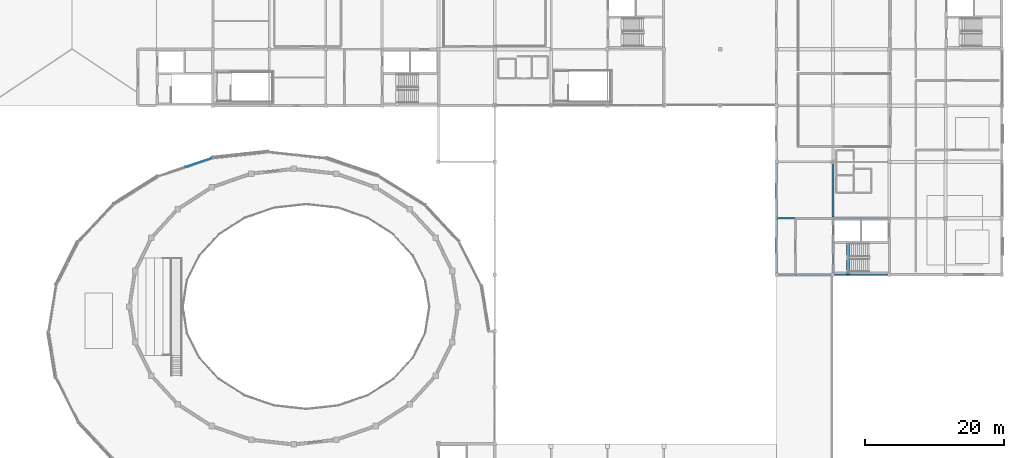
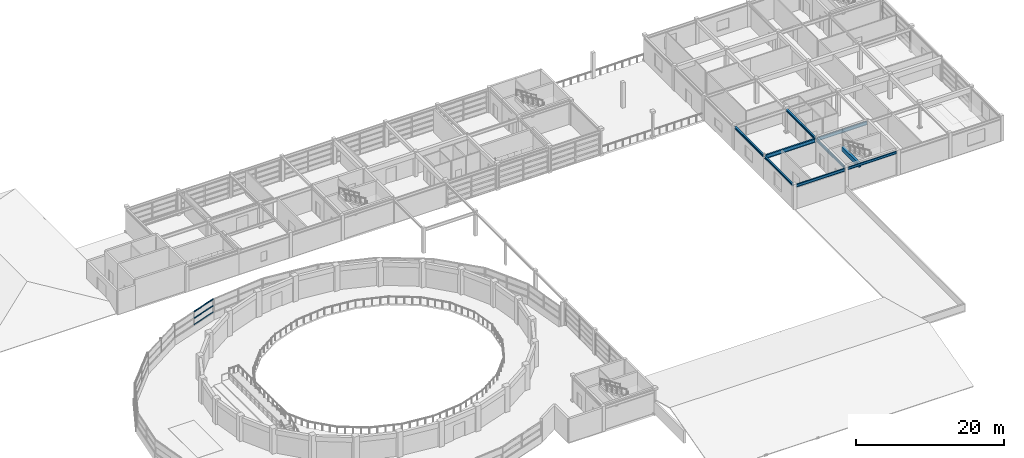
# One storey, part 22 of 54: 9 beams, 3 members, 1 element without a shape of its own.
"""IFC4 building model written with IfcOpenShell, lengths in metres."""

from ifc_helpers import new_model, si_unit, direction, frame, origin, origin_2d, place, context, subcontext, project, spatial, rectangle, i_section, extrude, material, material_profile, profile_set, type_object, element, aggregate, save


model = new_model("IFC4")

# Units and contexts
model_context = context("Model", 3, precision=1e-05, world=origin(), true_north=direction((0.0, 1.0)))
body_context = subcontext(model_context, "Body", "Model", "MODEL_VIEW")
ifc_project = project(units=[si_unit("LENGTHUNIT", "METRE"), si_unit("AREAUNIT", "SQUARE_METRE"), si_unit("VOLUMEUNIT", "CUBIC_METRE"), si_unit("PLANEANGLEUNIT", "RADIAN"), si_unit("MASSUNIT", "GRAM", prefix="KILO")], contexts=[model_context])

# Site, building, storey
site_placement = place(None, origin())
site = spatial("IfcSite", under=ifc_project, at=site_placement, CompositionType="ELEMENT")
building_placement = place(site_placement, origin())
building = spatial("IfcBuilding", under=site, at=building_placement, Name="Parian Resonance Hall", CompositionType="ELEMENT")
storey_placement = place(building_placement, frame((0.0, 0.0, 15.0)))
storey = spatial("IfcBuildingStorey", under=building, at=storey_placement, Name="L03", CompositionType="ELEMENT", Elevation=15.0)

# Beams
ifc_material_1 = material(Name="Concrete C40/50", Category="concrete")
ifc_material_profile_1 = material_profile(ifc_material_1, rectangle(XDim=0.39990234375, YDim=0.699951171875, at=origin_2d()), Name="RC-BM-400x700")
ifc_profile_set_1 = profile_set([ifc_material_profile_1], Name="Concrete C40/50")
beam_type_1 = type_object("IfcBeamType", Name="BM-RC400x700", PredefinedType="BEAM", material=ifc_profile_set_1)
beam_1_placement = place(storey_placement, frame((123.659912109375, 48.60009765625, 3.60009765625), z_axis=(0.0, 1.0, 0.0), x_axis=(-1.0, 0.0, 0.0)))
element("IfcBeam", 1, at=beam_1_placement, inside=storey, type_object=beam_type_1, Name="Core K2 stair arrival trimmer beam L03", PredefinedType="BEAM", context=body_context, shape_type="SweptSolid", body=[
    extrude(rectangle(XDim=0.39990234375, YDim=0.699951171875, at=origin_2d()), origin(), (0.0, 0.0, 1.0), 4.64990234375),
])
ifc_material_2 = material(Name="Steel S355", Category="steel")
ifc_material_profile_2 = material_profile(ifc_material_2, i_section(OverallWidth=0.2548828125, OverallDepth=0.35693359375, WebThickness=0.010498046875, FlangeThickness=0.018310546875, FilletRadius=0.01513671875, at=origin_2d()), Name="W360x101")
ifc_profile_set_2 = profile_set([ifc_material_profile_2], Name="Steel S355")
beam_type_2 = type_object("IfcBeamType", Name="BM-W360x101", PredefinedType="SPANDREL", material=ifc_profile_set_2)
beam_2_placement = place(storey_placement, frame((113.39990234375, 48.85009765625, 3.771484375), z_axis=(0.0, 1.0, 0.0), x_axis=(-1.0, 0.0, 0.0)))
element("IfcBeam", 2, at=beam_2_placement, inside=storey, type_object=beam_type_2, Name="GY-L03-0891", PredefinedType="SPANDREL", context=body_context, shape_type="SweptSolid", body=[
    extrude(i_section(OverallWidth=0.2548828125, OverallDepth=0.35693359375, WebThickness=0.010498046875, FlangeThickness=0.018310546875, FilletRadius=0.01513671875, at=origin_2d()), origin(), (0.0, 0.0, 1.0), 7.69580078125),
])
beam_3_placement = place(storey_placement, frame((113.39990234375, 56.85400390625, 3.771484375), z_axis=(0.0, 1.0, 0.0), x_axis=(-1.0, 0.0, 0.0)))
element("IfcBeam", 3, at=beam_3_placement, inside=storey, type_object=beam_type_2, Name="GY-L03-0892", PredefinedType="SPANDREL", context=body_context, shape_type="SweptSolid", body=[
    extrude(i_section(OverallWidth=0.2548828125, OverallDepth=0.35693359375, WebThickness=0.010498046875, FlangeThickness=0.018310546875, FilletRadius=0.01513671875, at=origin_2d()), origin(), (0.0, 0.0, 1.0), 7.696044921875),
])
beam_4_placement = place(storey_placement, frame((121.5, 56.85400390625, 3.771484375), z_axis=(0.0, 1.0, 0.0), x_axis=(-1.0, 0.0, 0.0)))
element("IfcBeam", 4, at=beam_4_placement, inside=storey, type_object=beam_type_2, Name="GY-L03-0897", PredefinedType="SPANDREL", context=body_context, shape_type="SweptSolid", body=[
    extrude(i_section(OverallWidth=0.2548828125, OverallDepth=0.35693359375, WebThickness=0.010498046875, FlangeThickness=0.018310546875, FilletRadius=0.01513671875, at=origin_2d()), origin(), (0.0, 0.0, 1.0), 7.821044921875),
])
ifc_material_3 = material(Name="Steel S355", Category="steel")
ifc_material_profile_3 = material_profile(ifc_material_3, i_section(OverallWidth=0.180908203125, OverallDepth=0.4169921875, WebThickness=0.010986328125, FlangeThickness=0.018310546875, FilletRadius=0.01513671875, at=origin_2d()), Name="W410x85")
ifc_profile_set_3 = profile_set([ifc_material_profile_3], Name="Steel S355")
beam_type_3 = type_object("IfcBeamType", Name="BM-W410x85", PredefinedType="SPANDREL", material=ifc_profile_set_3)
beam_5_placement = place(storey_placement, frame((121.75, 48.60009765625, 3.741455078125), z_axis=(1.0, 0.0, 0.0), x_axis=(0.0, 1.0, 0.0)))
element("IfcBeam", 5, at=beam_5_placement, inside=storey, type_object=beam_type_3, Name="GX-L03-0846", PredefinedType="SPANDREL", context=body_context, shape_type="SweptSolid", body=[
    extrude(i_section(OverallWidth=0.180908203125, OverallDepth=0.4169921875, WebThickness=0.010986328125, FlangeThickness=0.018310546875, FilletRadius=0.01513671875, at=origin_2d()), origin(), (0.0, 0.0, 1.0), 7.60009765625),
])
beam_6_placement = place(storey_placement, frame((121.5, 48.85009765625, 3.741455078125), z_axis=(0.0, 1.0, 0.0), x_axis=(-1.0, 0.0, 0.0)))
element("IfcBeam", 6, at=beam_6_placement, inside=storey, type_object=beam_type_3, Name="GY-L03-0896", PredefinedType="SPANDREL", context=body_context, shape_type="SweptSolid", body=[
    extrude(i_section(OverallWidth=0.180908203125, OverallDepth=0.4169921875, WebThickness=0.010986328125, FlangeThickness=0.018310546875, FilletRadius=0.01513671875, at=origin_2d()), origin(), (0.0, 0.0, 1.0), 7.69580078125),
])
ifc_material_4 = material(Name="Steel S355", Category="steel")
ifc_material_profile_4 = material_profile(ifc_material_4, i_section(OverallWidth=0.194091796875, OverallDepth=0.468994140625, WebThickness=0.0126953125, FlangeThickness=0.0205078125, FilletRadius=0.01513671875, at=origin_2d()), Name="W460x106")
ifc_profile_set_4 = profile_set([ifc_material_profile_4], Name="Steel S355")
beam_type_4 = type_object("IfcBeamType", Name="BM-W460x106", PredefinedType="SPANDREL", material=ifc_profile_set_4)
beam_7_placement = place(storey_placement, frame((113.64990234375, 48.60009765625, 3.715576171875), z_axis=(1.0, 0.0, 0.0), x_axis=(0.0, 1.0, 0.0)))
element("IfcBeam", 7, at=beam_7_placement, inside=storey, type_object=beam_type_4, Name="GX-L03-0840", PredefinedType="SPANDREL", context=body_context, shape_type="SweptSolid", body=[
    extrude(i_section(OverallWidth=0.194091796875, OverallDepth=0.468994140625, WebThickness=0.0126953125, FlangeThickness=0.0205078125, FilletRadius=0.01513671875, at=origin_2d()), origin(), (0.0, 0.0, 1.0), 7.60009765625),
])
ifc_material_5 = material(Name="Steel S355", Category="steel")
ifc_material_profile_5 = material_profile(ifc_material_5, i_section(OverallWidth=0.208984375, OverallDepth=0.532958984375, WebThickness=0.01025390625, FlangeThickness=0.015625, FilletRadius=0.017822265625, at=origin_2d()), Name="W530x92")
ifc_profile_set_5 = profile_set([ifc_material_profile_5], Name="Steel S355")
beam_type_5 = type_object("IfcBeamType", Name="BM-W530x92", PredefinedType="BEAM", material=ifc_profile_set_5)
beam_8_placement = place(storey_placement, frame((121.652587890625, 56.699951171875, 3.68359375), z_axis=(1.0, 0.0, 0.0), x_axis=(0.0, 1.0, 0.0)))
element("IfcBeam", 8, at=beam_8_placement, inside=storey, type_object=beam_type_5, Name="GX-L03-0847", PredefinedType="BEAM", context=body_context, shape_type="SweptSolid", body=[
    extrude(i_section(OverallWidth=0.208984375, OverallDepth=0.532958984375, WebThickness=0.01025390625, FlangeThickness=0.015625, FilletRadius=0.017822265625, at=origin_2d()), origin(), (0.0, 0.0, 1.0), 7.794921875),
])
ifc_material_6 = material(Name="Steel S355", Category="steel")
ifc_material_profile_6 = material_profile(ifc_material_6, i_section(OverallWidth=0.22802734375, OverallDepth=0.60791015625, WebThickness=0.01123046875, FlangeThickness=0.017333984375, FilletRadius=0.017822265625, at=origin_2d()), Name="W610x113")
ifc_profile_set_6 = profile_set([ifc_material_profile_6], Name="Steel S355")
beam_type_6 = type_object("IfcBeamType", Name="BM-W610x113", PredefinedType="USERDEFINED", material=ifc_profile_set_6)
beam_9_placement = place(storey_placement, frame((113.552490234375, 56.699951171875, 3.64599609375), z_axis=(1.0, 0.0, 0.0), x_axis=(0.0, 1.0, 0.0)))
element("IfcBeam", 9, at=beam_9_placement, inside=storey, type_object=beam_type_6, Name="GX-L03-0841", ObjectType="GIRDER", PredefinedType="USERDEFINED", context=body_context, shape_type="SweptSolid", body=[
    extrude(i_section(OverallWidth=0.22802734375, OverallDepth=0.60791015625, WebThickness=0.01123046875, FlangeThickness=0.017333984375, FilletRadius=0.017822265625, at=origin_2d()), origin(), (0.0, 0.0, 1.0), 7.794921875),
])

# Curtain wall, members
ifc_material_7 = material(Name="Bronze-anodised aluminium frame", Category="aluminium")
curtain_wall_type = type_object("IfcCurtainWallType", Name="CW-SYS-04", PredefinedType="NOTDEFINED", material=ifc_material_7)
curtain_wall_placement = place(storey_placement, origin())
curtain_wall = element("IfcCurtainWall", 10, at=curtain_wall_placement, inside=storey, type_object=curtain_wall_type, Name="Elliptical R3 recessed strip curtain wall 08", PredefinedType="NOTDEFINED")
ifc_material_8 = material(Name="Bronze-anodised aluminium frame", Category="aluminium")
ifc_material_profile_7 = material_profile(ifc_material_8, rectangle(XDim=0.074951171875, YDim=0.14990234375, at=origin_2d()), Name="CWT-75x150")
ifc_profile_set_7 = profile_set([ifc_material_profile_7], Name="Bronze-anodised aluminium frame")
member_type = type_object("IfcMemberType", Name="CWT-75x150", PredefinedType="USERDEFINED", material=ifc_profile_set_7)
member_1_placement = place(storey_placement, frame((28.4462890625, 64.044189453125, 1.2294921875), z_axis=(0.947287999761, 0.32038327907, 0.0), x_axis=(-0.32038327907, 0.947287999761, 0.0)))
member_1 = element("IfcMember", 11, at=member_1_placement, type_object=member_type, Name="CW-04 transom 2.1", ObjectType="TRANSOM", PredefinedType="USERDEFINED", context=body_context, shape_type="SweptSolid", body=[
    extrude(rectangle(XDim=0.074951171875, YDim=0.14990234375, at=origin_2d()), origin(), (0.0, 0.0, 1.0), 3.909912109375),
])
member_2_placement = place(storey_placement, frame((28.4462890625, 64.044189453125, 2.300048828125), z_axis=(0.947287999761, 0.32038327907, 0.0), x_axis=(-0.32038327907, 0.947287999761, 0.0)))
member_2 = element("IfcMember", 12, at=member_2_placement, type_object=member_type, Name="CW-04 transom 2.2", ObjectType="TRANSOM", PredefinedType="USERDEFINED", context=body_context, shape_type="SweptSolid", body=[
    extrude(rectangle(XDim=0.074951171875, YDim=0.14990234375, at=origin_2d()), origin(), (0.0, 0.0, 1.0), 3.909912109375),
])
member_3_placement = place(storey_placement, frame((28.4462890625, 64.044189453125, 3.37255859375), z_axis=(0.947287999761, 0.32038327907, 0.0), x_axis=(-0.32038327907, 0.947287999761, 0.0)))
member_3 = element("IfcMember", 13, at=member_3_placement, type_object=member_type, Name="CW-04 transom 2.3", ObjectType="TRANSOM", PredefinedType="USERDEFINED", context=body_context, shape_type="SweptSolid", body=[
    extrude(rectangle(XDim=0.074951171875, YDim=0.14990234375, at=origin_2d()), origin(), (0.0, 0.0, 1.0), 3.909912109375),
])
aggregate(curtain_wall, [member_1, member_2, member_3])

save(model, "model.ifc")
